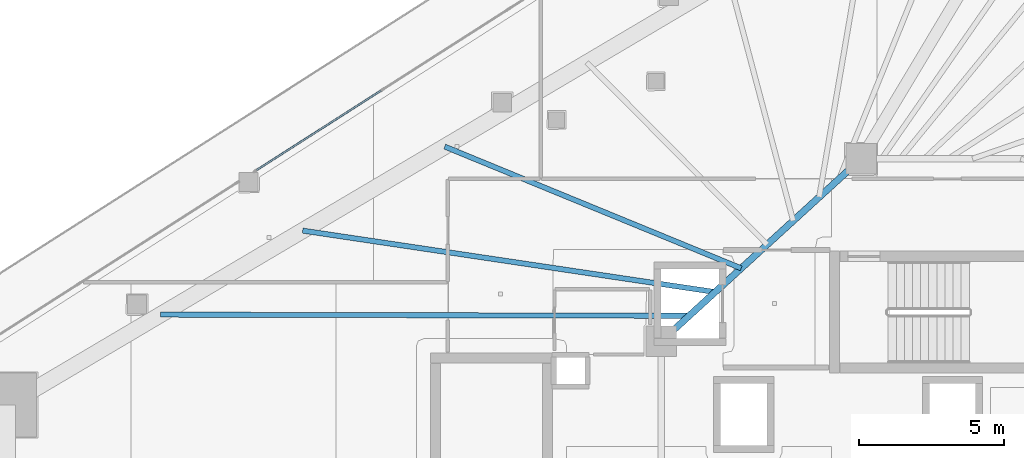
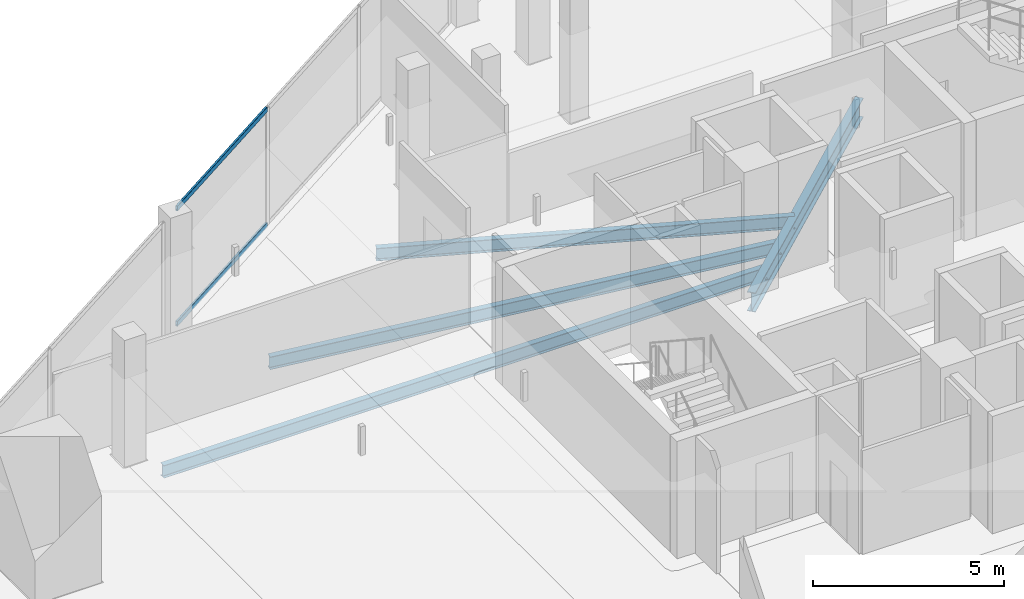
# One storey, part 14 of 36: 4 beams, 2 members, 1 element without a shape of its own.
"""IFC4 building model written with IfcOpenShell, lengths in metres."""

from ifc_helpers import new_model, si_unit, direction, frame, origin, origin_2d, place, context, subcontext, project, spatial, hollow_rectangle, i_section, extrude, material, layer, layer_set, material_profile, profile_set, type_object, element, aggregate, save


model = new_model("IFC4")

# Units and contexts
model_context = context("Model", 3, precision=1e-05, world=origin(), true_north=direction((0.0, 1.0)))
body_context = subcontext(model_context, "Body", "Model", "MODEL_VIEW")
ifc_project = project(units=[si_unit("LENGTHUNIT", "METRE"), si_unit("AREAUNIT", "SQUARE_METRE"), si_unit("VOLUMEUNIT", "CUBIC_METRE"), si_unit("PLANEANGLEUNIT", "RADIAN"), si_unit("MASSUNIT", "GRAM", prefix="KILO")], contexts=[model_context])

# Site, building, storey
site_placement = place(None, origin())
site = spatial("IfcSite", under=ifc_project, at=site_placement, CompositionType="ELEMENT")
building_placement = place(site_placement, origin())
building = spatial("IfcBuilding", under=site, at=building_placement, Name="Qorvath Tower", CompositionType="ELEMENT")
storey_placement = place(building_placement, frame((0.0, 0.0, 170.550048828125)))
storey = spatial("IfcBuildingStorey", under=building, at=storey_placement, Name="L39", CompositionType="ELEMENT", Elevation=170.550048828125)

# Beams
ifc_material_1 = material(Name="Steel ASTM A992 Grade 50", Category="steel")
ifc_material_profile_1 = material_profile(ifc_material_1, i_section(OverallWidth=0.22998046875, OverallDepth=0.616943359375, WebThickness=0.01318359375, FlangeThickness=0.022216796875, FilletRadius=0.014892578125, at=origin_2d()), Name="W24x94")
ifc_profile_set_1 = profile_set([ifc_material_profile_1], Name="Steel ASTM A992 Grade 50")
beam_type_1 = type_object("IfcBeamType", Name="BM-FG6", PredefinedType="BEAM", material=ifc_profile_set_1)
beam_1_placement = place(storey_placement, frame((-30.5, 5.14990234375, -0.57861328125), z_axis=(0.73847813985, 0.6742774184, 0.0), x_axis=(-0.6742774184, 0.73847813985, 0.0)))
element("IfcBeam", 1, at=beam_1_placement, inside=storey, type_object=beam_type_1, Name="Core Ring Girder CC5-CC1 L39", PredefinedType="BEAM", context=body_context, shape_type="SweptSolid", body=[
    extrude(i_section(OverallWidth=0.22998046875, OverallDepth=0.616943359375, WebThickness=0.01318359375, FlangeThickness=0.022216796875, FilletRadius=0.014892578125, at=origin_2d()), origin(), (0.0, 0.0, 1.0), 9.343505859375),
])
ifc_material_2 = material(Name="Steel ASTM A992 Grade 50", Category="steel")
ifc_material_profile_2 = material_profile(ifc_material_2, i_section(OverallWidth=0.177978515625, OverallDepth=0.406005859375, WebThickness=0.0078125, FlangeThickness=0.0126953125, FilletRadius=0.010986328125, at=origin_2d()), Name="W16x40")
ifc_profile_set_2 = profile_set([ifc_material_profile_2], Name="Steel ASTM A992 Grade 50")
beam_type_2 = type_object("IfcBeamType", Name="BM-FJ3", PredefinedType="JOIST", material=ifc_profile_set_2)
beam_2_placement = place(storey_placement, frame((-29.533935546875, 6.031982421875, -0.47314453125), z_axis=(-0.999997589883, 0.002195501951, 0.0), x_axis=(-0.002195501951, -0.999997589883, 0.0)))
element("IfcBeam", 2, at=beam_2_placement, inside=storey, type_object=beam_type_2, Name="Composite Floor Joist NW1 L39", PredefinedType="JOIST", context=body_context, shape_type="SweptSolid", body=[
    extrude(i_section(OverallWidth=0.177978515625, OverallDepth=0.406005859375, WebThickness=0.0078125, FlangeThickness=0.0126953125, FilletRadius=0.010986328125, at=origin_2d()), origin(), (0.0, 0.0, 1.0), 18.23681640625),
])
beam_3_placement = place(storey_placement, frame((-28.636962890625, 6.85107421875, -0.47314453125), z_axis=(-0.989092860328, 0.147293291256, 0.0), x_axis=(-0.147293291256, -0.989092860328, 0.0)))
element("IfcBeam", 3, at=beam_3_placement, inside=storey, type_object=beam_type_2, Name="Composite Floor Joist NW2 L39", PredefinedType="JOIST", context=body_context, shape_type="SweptSolid", body=[
    extrude(i_section(OverallWidth=0.177978515625, OverallDepth=0.406005859375, WebThickness=0.0078125, FlangeThickness=0.0126953125, FilletRadius=0.010986328125, at=origin_2d()), origin(), (0.0, 0.0, 1.0), 14.388916015625),
])
beam_4_placement = place(storey_placement, frame((-27.739990234375, 7.669921875, -0.47314453125), z_axis=(-0.925068176006, 0.379801092338, 0.0), x_axis=(-0.379801092338, -0.925068176006, 0.0)))
element("IfcBeam", 4, at=beam_4_placement, inside=storey, type_object=beam_type_2, Name="Composite Floor Joist NW3 L39", PredefinedType="JOIST", context=body_context, shape_type="SweptSolid", body=[
    extrude(i_section(OverallWidth=0.177978515625, OverallDepth=0.406005859375, WebThickness=0.0078125, FlangeThickness=0.0126953125, FilletRadius=0.010986328125, at=origin_2d()), origin(), (0.0, 0.0, 1.0), 11.0556640625),
])

# Curtain wall, members
ifc_material_3 = material(Name="Anodised aluminium and triple low-E glass", Category="aluminium")
ifc_layer = layer(ifc_material_3, 0.179931640625)
ifc_layer_set = layer_set([ifc_layer], Name="CW-SYS-3")
curtain_wall_type = type_object("IfcCurtainWallType", Name="CW-SYS-3", PredefinedType="NOTDEFINED", material=ifc_layer_set)
curtain_wall_placement = place(storey_placement, origin())
curtain_wall = element("IfcCurtainWall", 5, at=curtain_wall_placement, inside=storey, type_object=curtain_wall_type, Name="Curtain Wall CW-3 CW-T-L39-16.2", PredefinedType="NOTDEFINED")
ifc_material_4 = material(Name="Anodised aluminium 6063-T6", Category="aluminium")
ifc_material_profile_3 = material_profile(ifc_material_4, hollow_rectangle(XDim=0.06494140625, YDim=0.159912109375, WallThickness=0.00341796875, InnerFilletRadius=0.00341796875, OuterFilletRadius=0.007080078125, at=origin_2d()), Name="CWT 160x65")
ifc_profile_set_3 = profile_set([ifc_material_profile_3], Name="Anodised aluminium 6063-T6")
member_type = type_object("IfcMemberType", Name="CWT-160", PredefinedType="USERDEFINED", material=ifc_profile_set_3)
member_1_placement = place(storey_placement, frame((-40.16650390625, 13.802001953125, 0.032470703125), z_axis=(-0.842588786004, -0.53855745998, 0.0), x_axis=(0.53855745998, -0.842588786004, 0.0)))
member_1 = element("IfcMember", 6, at=member_1_placement, type_object=member_type, Name="CW-3 transom 3.1", ObjectType="TRANSOM", PredefinedType="USERDEFINED", context=body_context, shape_type="SweptSolid", body=[
    extrude(hollow_rectangle(XDim=0.06494140625, YDim=0.159912109375, WallThickness=0.00341796875, InnerFilletRadius=0.00341796875, OuterFilletRadius=0.007080078125, at=origin_2d()), origin(), (0.0, 0.0, 1.0), 5.0966796875),
])
member_2_placement = place(storey_placement, frame((-40.16650390625, 13.802001953125, 3.717529296875), z_axis=(-0.842588786004, -0.53855745998, 0.0), x_axis=(0.53855745998, -0.842588786004, 0.0)))
member_2 = element("IfcMember", 7, at=member_2_placement, type_object=member_type, Name="CW-3 transom 3.2", ObjectType="TRANSOM", PredefinedType="USERDEFINED", context=body_context, shape_type="SweptSolid", body=[
    extrude(hollow_rectangle(XDim=0.06494140625, YDim=0.159912109375, WallThickness=0.00341796875, InnerFilletRadius=0.00341796875, OuterFilletRadius=0.007080078125, at=origin_2d()), origin(), (0.0, 0.0, 1.0), 5.0966796875),
])
aggregate(curtain_wall, [member_1, member_2])

save(model, "model.ifc")
